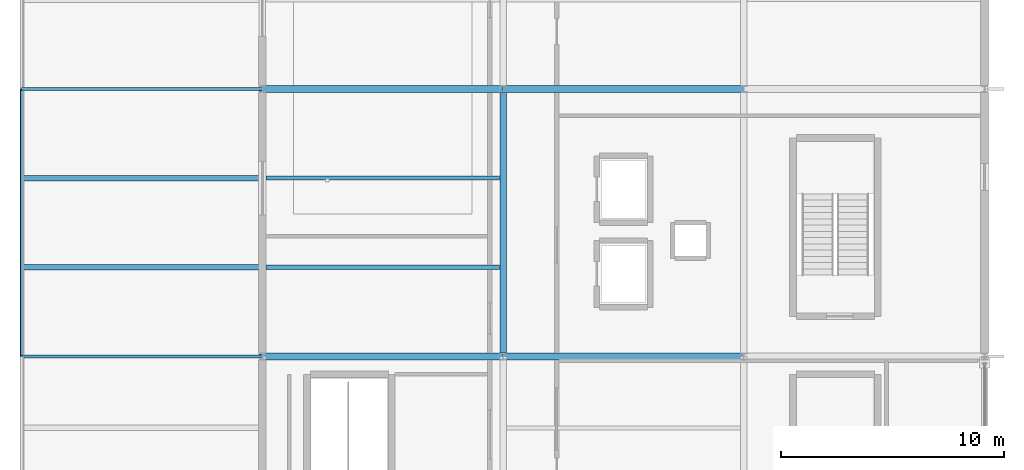
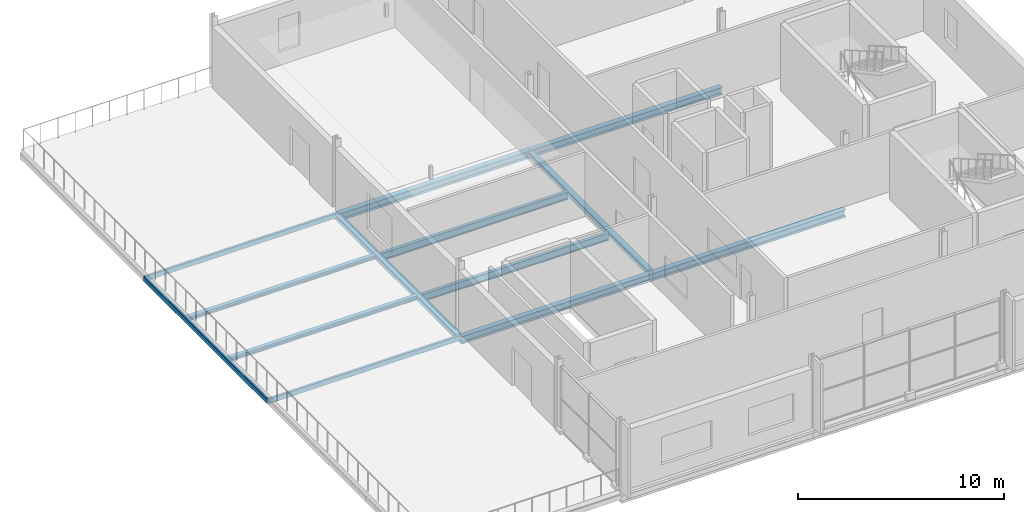
# One storey, part 7 of 13: 13 beams.
"""IFC4 building model written with IfcOpenShell, lengths in metres."""

from ifc_helpers import new_model, si_unit, direction, frame, origin, origin_2d, place, context, subcontext, project, spatial, hollow_rectangle, i_section, extrude, material, material_profile, profile_set, type_object, element, save


model = new_model("IFC4")

# Units and contexts
model_context = context("Model", 3, precision=1e-05, world=origin(), true_north=direction((0.0, 1.0)))
body_context = subcontext(model_context, "Body", "Model", "MODEL_VIEW")
ifc_project = project(units=[si_unit("LENGTHUNIT", "METRE"), si_unit("AREAUNIT", "SQUARE_METRE"), si_unit("VOLUMEUNIT", "CUBIC_METRE"), si_unit("PLANEANGLEUNIT", "RADIAN"), si_unit("MASSUNIT", "GRAM", prefix="KILO")], contexts=[model_context])

# Site, building, storey
site_placement = place(None, origin())
site = spatial("IfcSite", under=ifc_project, at=site_placement, CompositionType="ELEMENT")
building_placement = place(site_placement, origin())
building = spatial("IfcBuilding", under=site, at=building_placement, Name="Merenkruunu Market Hall", CompositionType="ELEMENT")
storey_placement = place(building_placement, frame((0.0, 0.0, 14.39990234375)))
storey = spatial("IfcBuildingStorey", under=building, at=storey_placement, Name="L03", CompositionType="ELEMENT", Elevation=14.39990234375)

# Beams
ifc_material = material(Name="Steel S355J2", Category="steel")
ifc_material_profile_1 = material_profile(ifc_material, hollow_rectangle(XDim=0.14990234375, YDim=0.300048828125, WallThickness=0.012451171875, InnerFilletRadius=0.012451171875, OuterFilletRadius=0.02490234375, at=origin_2d()), Name="RHS 300x150x12.5")
ifc_profile_set_1 = profile_set([ifc_material_profile_1], Name="Steel S355J2")
beam_type_1 = type_object("IfcBeamType", Name="Perimeter Spandrel Beam SP03", PredefinedType="SPANDREL", material=ifc_profile_set_1)
for number, where, z_axis, x_axis, name in (
    (1, (148.800048828125, 15.60009765625, -0.419921875), (1.0, 0.0, 0.0), (0.0, 1.0, 0.0), "BM-L03-SP03-0863"),
    (2, (148.800048828125, 27.60009765625, -0.419921875), (1.0, 0.0, 0.0), (0.0, 1.0, 0.0), "BM-L03-SP03-0867"),
):
    element("IfcBeam", number, at=place(storey_placement, frame(where, z_axis=z_axis, x_axis=x_axis)), inside=storey, type_object=beam_type_1, Name=name, PredefinedType="SPANDREL", context=body_context, shape_type="SweptSolid", body=[
        extrude(hollow_rectangle(XDim=0.14990234375, YDim=0.300048828125, WallThickness=0.012451171875, InnerFilletRadius=0.012451171875, OuterFilletRadius=0.02490234375, at=origin_2d()), origin(), (0.0, 0.0, 1.0), 10.800048828125),
    ])
beam_1_placement = place(storey_placement, frame((148.800048828125, 15.60009765625, -0.419921875), z_axis=(0.0, 1.0, 0.0), x_axis=(-1.0, 0.0, 0.0)))
element("IfcBeam", 3, at=beam_1_placement, inside=storey, type_object=beam_type_1, Name="BM-L03-SP03-0877", PredefinedType="SPANDREL", context=body_context, shape_type="SweptSolid", body=[
    extrude(hollow_rectangle(XDim=0.14990234375, YDim=0.300048828125, WallThickness=0.012451171875, InnerFilletRadius=0.012451171875, OuterFilletRadius=0.02490234375, at=origin_2d()), origin(), (0.0, 0.0, 1.0), 12.0),
])
ifc_material_profile_2 = material_profile(ifc_material, i_section(OverallWidth=0.300048828125, OverallDepth=0.43994140625, WebThickness=0.011474609375, FlangeThickness=0.02099609375, FilletRadius=0.027099609375, at=origin_2d()), Name="HEA 450")
ifc_profile_set_2 = profile_set([ifc_material_profile_2], Name="Steel S355J2")
beam_type_2 = type_object("IfcBeamType", Name="Primary Floor Girder B07", PredefinedType="BEAM", material=ifc_profile_set_2)
beam_2_placement = place(storey_placement, frame((159.60009765625, 15.60009765625, -0.52978515625), z_axis=(1.0, 0.0, 0.0), x_axis=(0.0, 1.0, 0.0)))
element("IfcBeam", 4, at=beam_2_placement, inside=storey, type_object=beam_type_2, Name="BM-L03-B07-0864", PredefinedType="BEAM", context=body_context, shape_type="SweptSolid", body=[
    extrude(i_section(OverallWidth=0.300048828125, OverallDepth=0.43994140625, WebThickness=0.011474609375, FlangeThickness=0.02099609375, FilletRadius=0.027099609375, at=origin_2d()), origin(), (0.0, 0.0, 1.0), 10.7998046875),
])
beam_3_placement = place(storey_placement, frame((170.39990234375, 15.60009765625, -0.52978515625), z_axis=(1.0, 0.0, 0.0), x_axis=(0.0, 1.0, 0.0)))
element("IfcBeam", 5, at=beam_3_placement, inside=storey, type_object=beam_type_2, Name="BM-L03-B07-0865", PredefinedType="BEAM", context=body_context, shape_type="SweptSolid", body=[
    extrude(i_section(OverallWidth=0.300048828125, OverallDepth=0.43994140625, WebThickness=0.011474609375, FlangeThickness=0.02099609375, FilletRadius=0.027099609375, at=origin_2d()), origin(), (0.0, 0.0, 1.0), 10.800048828125),
])
beam_4_placement = place(storey_placement, frame((159.60009765625, 27.60009765625, -0.52978515625), z_axis=(1.0, 0.0, 0.0), x_axis=(0.0, 1.0, 0.0)))
element("IfcBeam", 6, at=beam_4_placement, inside=storey, type_object=beam_type_2, Name="BM-L03-B07-0868", PredefinedType="BEAM", context=body_context, shape_type="SweptSolid", body=[
    extrude(i_section(OverallWidth=0.300048828125, OverallDepth=0.43994140625, WebThickness=0.011474609375, FlangeThickness=0.02099609375, FilletRadius=0.027099609375, at=origin_2d()), origin(), (0.0, 0.0, 1.0), 10.7998046875),
])
beam_5_placement = place(storey_placement, frame((170.39990234375, 27.60009765625, -0.52978515625), z_axis=(1.0, 0.0, 0.0), x_axis=(0.0, 1.0, 0.0)))
element("IfcBeam", 7, at=beam_5_placement, inside=storey, type_object=beam_type_2, Name="BM-L03-B07-0869", PredefinedType="BEAM", context=body_context, shape_type="SweptSolid", body=[
    extrude(i_section(OverallWidth=0.300048828125, OverallDepth=0.43994140625, WebThickness=0.011474609375, FlangeThickness=0.02099609375, FilletRadius=0.027099609375, at=origin_2d()), origin(), (0.0, 0.0, 1.0), 10.800048828125),
])
ifc_material_profile_3 = material_profile(ifc_material, i_section(OverallWidth=0.300048828125, OverallDepth=0.2900390625, WebThickness=0.008544921875, FlangeThickness=0.013916015625, FilletRadius=0.027099609375, at=origin_2d()), Name="HEA 300")
ifc_profile_set_3 = profile_set([ifc_material_profile_3], Name="Steel S355J2")
beam_type_3 = type_object("IfcBeamType", Name="Primary Floor Girder B09", PredefinedType="BEAM", material=ifc_profile_set_3)
for number, where, z_axis, x_axis, name in (
    (8, (159.60009765625, 15.60009765625, -0.454833984375), (0.0, 1.0, 0.0), (-1.0, 0.0, 0.0), "BM-L03-B09-0881"),
    (9, (170.39990234375, 15.60009765625, -0.454833984375), (0.0, 1.0, 0.0), (-1.0, 0.0, 0.0), "BM-L03-B09-0885"),
):
    element("IfcBeam", number, at=place(storey_placement, frame(where, z_axis=z_axis, x_axis=x_axis)), inside=storey, type_object=beam_type_3, Name=name, PredefinedType="BEAM", context=body_context, shape_type="SweptSolid", body=[
        extrude(i_section(OverallWidth=0.300048828125, OverallDepth=0.2900390625, WebThickness=0.008544921875, FlangeThickness=0.013916015625, FilletRadius=0.027099609375, at=origin_2d()), origin(), (0.0, 0.0, 1.0), 12.0),
    ])
ifc_material_profile_4 = material_profile(ifc_material, i_section(OverallWidth=0.18994140625, OverallDepth=0.449951171875, WebThickness=0.009521484375, FlangeThickness=0.0146484375, FilletRadius=0.02099609375, at=origin_2d()), Name="IPE 450")
ifc_profile_set_4 = profile_set([ifc_material_profile_4], Name="Steel S355J2")
beam_type_4 = type_object("IfcBeamType", Name="Secondary Floor Joist J01", PredefinedType="JOIST", material=ifc_profile_set_4)
for number, where, z_axis, x_axis, name in (
    (10, (159.7529296875, 19.60009765625, -0.534912109375), (1.0, 0.0, 0.0), (0.0, 1.0, 0.0), "BM-L03-J01-0903"),
    (11, (159.7529296875, 23.60009765625, -0.534912109375), (1.0, 0.0, 0.0), (0.0, 1.0, 0.0), "BM-L03-J01-0904"),
):
    element("IfcBeam", number, at=place(storey_placement, frame(where, z_axis=z_axis, x_axis=x_axis)), inside=storey, type_object=beam_type_4, Name=name, PredefinedType="JOIST", context=body_context, shape_type="SweptSolid", body=[
        extrude(i_section(OverallWidth=0.18994140625, OverallDepth=0.449951171875, WebThickness=0.009521484375, FlangeThickness=0.0146484375, FilletRadius=0.02099609375, at=origin_2d()), origin(), (0.0, 0.0, 1.0), 10.494140625),
    ])
ifc_material_profile_5 = material_profile(ifc_material, i_section(OverallWidth=0.239990234375, OverallDepth=0.22998046875, WebThickness=0.007568359375, FlangeThickness=0.011962890625, FilletRadius=0.02099609375, at=origin_2d()), Name="HEA 240")
ifc_profile_set_5 = profile_set([ifc_material_profile_5], Name="Steel S355J2")
beam_type_5 = type_object("IfcBeamType", Name="Secondary Floor Joist J06", PredefinedType="JOIST", material=ifc_profile_set_5)
for number, where, z_axis, x_axis, name in (
    (12, (148.8779296875, 19.60009765625, -0.385009765625), (1.0, 0.0, 0.0), (0.0, 1.0, 0.0), "BM-L03-J06-0898"),
    (13, (148.8779296875, 23.60009765625, -0.385009765625), (1.0, 0.0, 0.0), (0.0, 1.0, 0.0), "BM-L03-J06-0899"),
):
    element("IfcBeam", number, at=place(storey_placement, frame(where, z_axis=z_axis, x_axis=x_axis)), inside=storey, type_object=beam_type_5, Name=name, PredefinedType="JOIST", context=body_context, shape_type="SweptSolid", body=[
        extrude(i_section(OverallWidth=0.239990234375, OverallDepth=0.22998046875, WebThickness=0.007568359375, FlangeThickness=0.011962890625, FilletRadius=0.02099609375, at=origin_2d()), origin(), (0.0, 0.0, 1.0), 10.569091796875),
    ])

save(model, "model.ifc")
